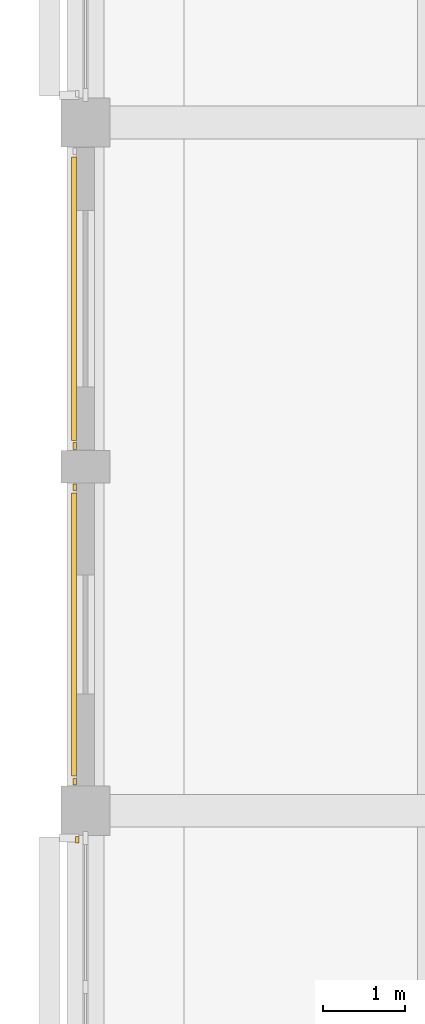
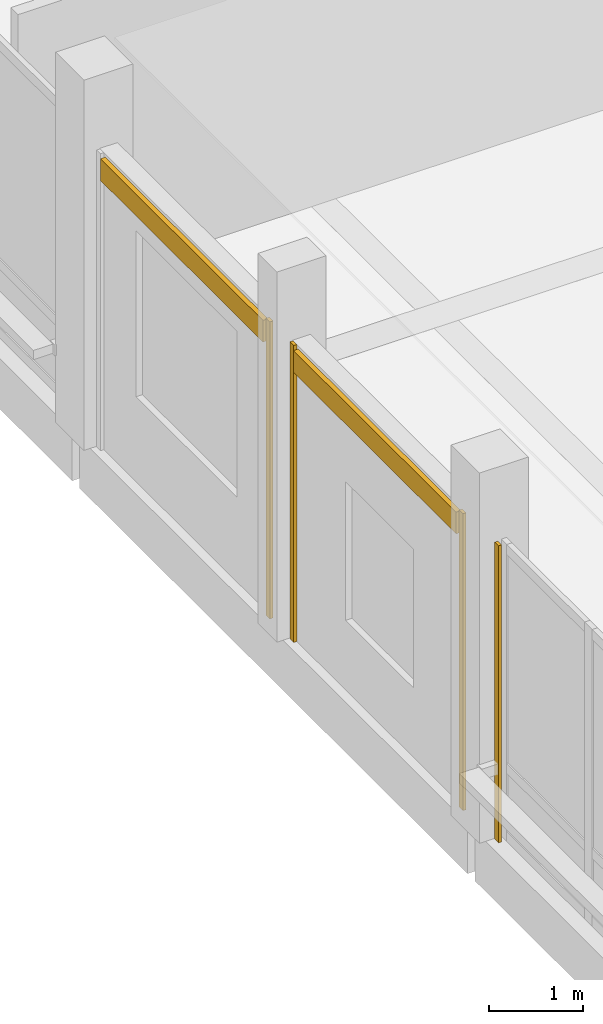
# One storey, part 85 of 122: 6 coverings.
"""IFC4 building model written with IfcOpenShell, lengths in metres."""

from ifc_helpers import new_model, si_unit, direction, frame, origin, origin_2d, place, context, subcontext, project, spatial, rectangle, extrude, material, layer, layer_set, type_object, element, save


model = new_model("IFC4")

# Units and contexts
model_context = context("Model", 3, precision=1e-05, world=origin(), true_north=direction((0.0, 1.0)))
body_context = subcontext(model_context, "Body", "Model", "MODEL_VIEW")
ifc_project = project(units=[si_unit("LENGTHUNIT", "METRE"), si_unit("AREAUNIT", "SQUARE_METRE"), si_unit("VOLUMEUNIT", "CUBIC_METRE"), si_unit("PLANEANGLEUNIT", "RADIAN"), si_unit("MASSUNIT", "GRAM", prefix="KILO")], contexts=[model_context])

# Site, building, storey
site_placement = place(None, origin())
site = spatial("IfcSite", under=ifc_project, at=site_placement, CompositionType="ELEMENT")
building_placement = place(site_placement, origin())
building = spatial("IfcBuilding", under=site, at=building_placement, Name="Telukmera Botanical Conservatory", CompositionType="ELEMENT")
storey_placement = place(building_placement, frame((0.0, 0.0, 10.199951171875)))
storey = spatial("IfcBuildingStorey", under=building, at=storey_placement, Name="L02", CompositionType="ELEMENT", Elevation=10.199951171875)

# Coverings
ifc_material_1 = material(Name="Granite-faced precast concrete C40/50", Category="masonry")
ifc_layer_1 = layer(ifc_material_1, 0.0400390625)
ifc_layer_set_1 = layer_set([ifc_layer_1], Name="Granite-faced precast concrete C40/50")
covering_type_1 = type_object("IfcCoveringType", Name="Granite Precast Column Pier Reveal Casing", PredefinedType="CLADDING", material=ifc_layer_set_1)
for number, where, z_axis, x_axis, name in (
    (1, (8.300048828125, 25.64794921875, 0.0), (0.0, 0.0, 1.0), (0.0, 1.0, 0.0), "Granite Pier Reveal V3:L02:W1B R"),
    (2, (8.27001953125, 26.35205078125, 0.0), (0.0, 0.0, 1.0), (0.0, 1.0, 0.0), "Granite Pier Reveal V3:L02:W2A L"),
    (3, (8.27001953125, 29.947998046875, 0.0), (0.0, 0.0, 1.0), (0.0, 1.0, 0.0), "Granite Pier Reveal V3:L02:W2A R"),
    (4, (8.27001953125, 30.451904296875, 0.0), (0.0, 0.0, 1.0), (0.0, 1.0, 0.0), "Granite Pier Reveal V3:L02:W2B L"),
):
    element("IfcCovering", number, at=place(storey_placement, frame(where, z_axis=z_axis, x_axis=x_axis)), inside=storey, type_object=covering_type_1, Name=name, PredefinedType="CLADDING", context=body_context, shape_type="SweptSolid", body=[
        extrude(rectangle(XDim=0.080078125, YDim=0.0400390625, at=origin_2d()), origin(), (0.0, 0.0, 1.0), 3.85009765625),
    ])
ifc_material_2 = material(Name="Terracotta-faced precast concrete C40/50", Category="masonry")
ifc_layer_2 = layer(ifc_material_2, 0.06005859375)
ifc_layer_set_2 = layer_set([ifc_layer_2], Name="Terracotta-faced precast concrete C40/50")
covering_type_2 = type_object("IfcCoveringType", Name="Polychrome Terracotta Facade Band Cladding", PredefinedType="CLADDING", material=ifc_layer_set_2)
for number, where, z_axis, x_axis, name in (
    (5, (8.260009765625, 28.14990234375, 3.5302734375), (0.0, 0.0, 1.0), (0.0, 1.0, 0.0), "Polychrome Terracotta Band V3:L02:W2A"),
    (6, (8.260009765625, 32.25, 3.5302734375), (0.0, 0.0, 1.0), (0.0, 1.0, 0.0), "Polychrome Terracotta Band V3:L02:W2B"),
):
    element("IfcCovering", number, at=place(storey_placement, frame(where, z_axis=z_axis, x_axis=x_axis)), inside=storey, type_object=covering_type_2, Name=name, PredefinedType="CLADDING", context=body_context, shape_type="SweptSolid", body=[
        extrude(rectangle(XDim=3.4560546875, YDim=0.06005859375, at=origin_2d()), origin(), (0.0, 0.0, 1.0), 0.280029296875),
    ])

save(model, "model.ifc")
